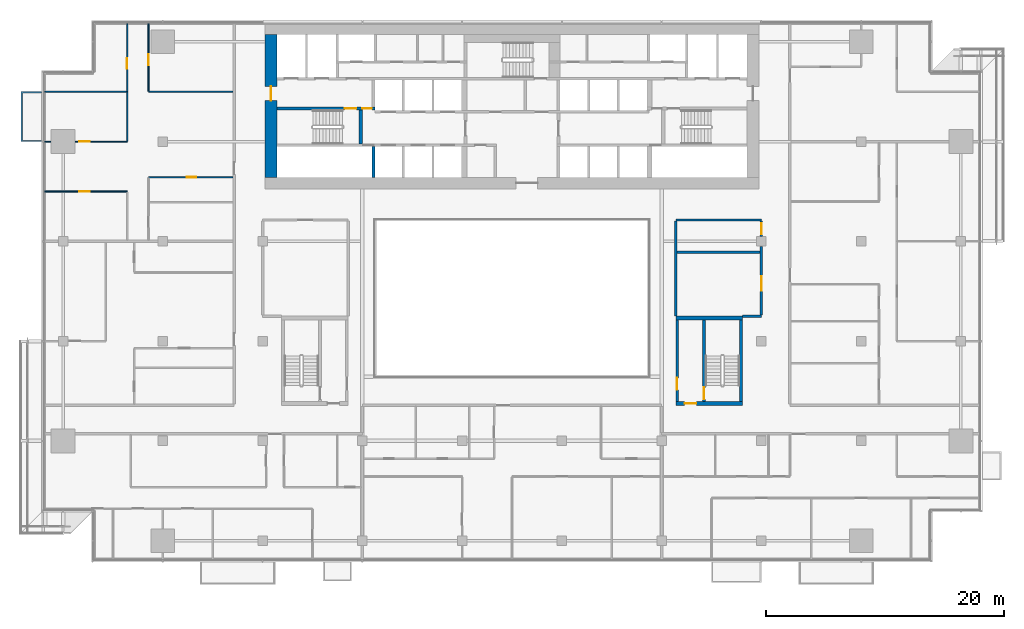
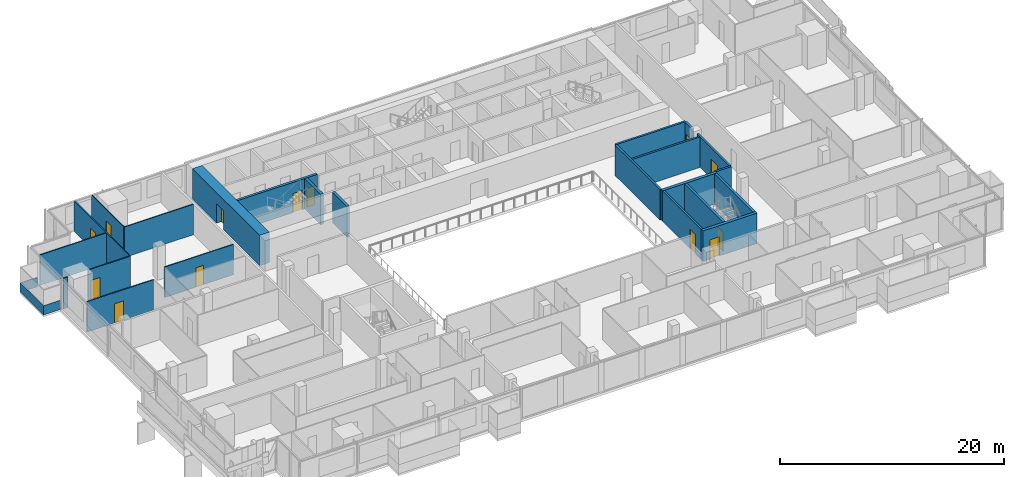
# One storey, part 20 of 29: 24 walls, 13 doors, 13 openings.
"""IFC4 building model written with IfcOpenShell, lengths in metres."""

from ifc_helpers import new_model, si_unit, direction, frame, frame_2d, origin, place, context, subcontext, project, spatial, polyline, rectangle, outline, extrude, material, layer, layer_set, type_object, element, fill, save


model = new_model("IFC4")

# Units and contexts
model_context = context("Model", 3, precision=1e-05, world=origin(), true_north=direction((0.0, 1.0)))
body_context = subcontext(model_context, "Body", "Model", "MODEL_VIEW")
ifc_project = project(units=[si_unit("LENGTHUNIT", "METRE"), si_unit("AREAUNIT", "SQUARE_METRE"), si_unit("VOLUMEUNIT", "CUBIC_METRE"), si_unit("PLANEANGLEUNIT", "RADIAN"), si_unit("MASSUNIT", "GRAM", prefix="KILO")], contexts=[model_context])

# Site, building, storey
site_placement = place(None, origin())
site = spatial("IfcSite", under=ifc_project, at=site_placement, CompositionType="ELEMENT")
building_placement = place(site_placement, origin())
building = spatial("IfcBuilding", under=site, at=building_placement, Name="Saffron Gate Tower", CompositionType="ELEMENT")
storey_placement = place(building_placement, frame((0.0, 0.0, 113.25)))
storey = spatial("IfcBuildingStorey", under=building, at=storey_placement, Name="L26", CompositionType="ELEMENT", Elevation=113.25)

# Wall, opening, door
ifc_material_1 = material(Name="Gypsum board partition on steel studs", Category="steel")
ifc_layer_1 = layer(ifc_material_1, 0.199951171875)
ifc_layer_set_1 = layer_set([ifc_layer_1], Name="CW10 Core partition 200")
wall_type_1 = type_object("IfcWallType", Name="CW10 Core partition 200", PredefinedType="PARTITIONING", material=ifc_layer_set_1)
wall_1_placement = place(storey_placement, frame((101.5, 43.5, 0.0), z_axis=(0.0, 0.0, 1.0), x_axis=(0.0, 1.0, 0.0)))
wall_1 = element("IfcWall", 1, at=wall_1_placement, inside=storey, type_object=wall_type_1, Name="Wall CW10-L26-E-2", PredefinedType="PARTITIONING", context=body_context, shape_type="SweptSolid", body=[
    extrude(rectangle(XDim=6.89990234375, YDim=0.199951171875, at=frame_2d((3.449951171875, 0.0))), origin(), (0.0, 0.0, 1.0), 3.320068359375),
])
opening_1_placement = place(wall_1_placement, frame((1.0, 0.0, 0.0)))
opening_1 = element("IfcOpeningElement", 2, at=opening_1_placement, cuts=wall_1, Name="Opening CR-22", PredefinedType="OPENING", context=body_context, shape_type="SweptSolid", body=[
    extrude(rectangle(XDim=1.0, YDim=2.10009765625, at=frame_2d((0.5, 1.050048828125))), frame((0.0, 0.10986328125, 0.0), z_axis=(0.0, -1.0, 0.0), x_axis=(1.0, 0.0, 0.0)), (0.0, 0.0, 1.0), 0.219970703125),
])
ifc_material_2 = material(Name="Steel fire door set", Category="steel")
door_type_1 = type_object("IfcDoorType", Name="CD4 Lobby door 1000x2100 EI 120", OperationType="NOTDEFINED", PredefinedType="DOOR", material=ifc_material_2)
door_1_placement = place(opening_1_placement, origin())
door_1 = element("IfcDoor", 3, at=door_1_placement, inside=storey, type_object=door_type_1, Name="DOOR CR-22", OperationType="SINGLE_SWING_LEFT", OverallHeight=2.10009765625, OverallWidth=1.0, PredefinedType="DOOR", context=body_context, shape_type="SweptSolid", body=[
    extrude(rectangle(XDim=1.0, YDim=2.10009765625, at=frame_2d((0.5, 1.050048828125))), frame((0.0, 0.02490234375, 0.0), z_axis=(0.0, -1.0, 0.0), x_axis=(1.0, 0.0, 0.0)), (0.0, 0.0, 1.0), 0.050048828125),
])
fill(opening_1, door_1)

ifc_material_3 = material(Name="Concrete C70", Category="concrete")
ifc_layer_2 = layer(ifc_material_3, 1.0)
ifc_layer_set_2 = layer_set([ifc_layer_2], Name="CW12 RC core wall 1000 C70")
wall_type_2 = type_object("IfcWallType", Name="CW12 RC core wall 1000 C70", PredefinedType="SOLIDWALL", material=ifc_layer_set_2)
wall_2_placement = place(storey_placement, frame((67.300048828125, 62.39990234375, 0.0), z_axis=(0.0, 0.0, 1.0), x_axis=(0.0, 1.0, 0.0)))
wall_2 = element("IfcWall", 4, at=wall_2_placement, inside=storey, type_object=wall_type_2, Name="Wall CW12-L26-3", PredefinedType="SOLIDWALL", context=body_context, shape_type="SweptSolid", body=[
    extrude(rectangle(XDim=12.0, YDim=1.0, at=frame_2d((6.0, 0.0))), origin(), (0.0, 0.0, 1.0), 3.320068359375),
])
opening_2_placement = place(wall_2_placement, frame((6.449951171875, 0.0, 0.0)))
opening_2 = element("IfcOpeningElement", 5, at=opening_2_placement, cuts=wall_2, Name="Opening CR-10", PredefinedType="OPENING", context=body_context, shape_type="SweptSolid", body=[
    extrude(rectangle(XDim=1.199951171875, YDim=2.10009765625, at=frame_2d((0.60009765625, 1.050048828125))), frame((0.0, 0.510009765625, 0.0), z_axis=(0.0, -1.0, 0.0), x_axis=(1.0, 0.0, 0.0)), (0.0, 0.0, 1.0), 1.02001953125),
])
door_type_2 = type_object("IfcDoorType", Name="CD7 Core entrance door 1200x2100 EI 120", OperationType="NOTDEFINED", PredefinedType="DOOR", material=ifc_material_2)
door_2_placement = place(opening_2_placement, origin())
door_2 = element("IfcDoor", 6, at=door_2_placement, inside=storey, type_object=door_type_2, Name="DOOR CR-10", OperationType="SINGLE_SWING_LEFT", OverallHeight=2.10009765625, OverallWidth=1.199951171875, PredefinedType="DOOR", context=body_context, shape_type="SweptSolid", body=[
    extrude(rectangle(XDim=1.199951171875, YDim=2.10009765625, at=frame_2d((0.60009765625, 1.050048828125))), frame((0.0, 0.02490234375, 0.0), z_axis=(0.0, -1.0, 0.0), x_axis=(1.0, 0.0, 0.0)), (0.0, 0.0, 1.0), 0.050048828125),
])
fill(opening_2, door_2)

# Wall
ifc_layer_3 = layer(ifc_material_3, 0.25)
ifc_layer_set_3 = layer_set([ifc_layer_3], Name="CW2 RC core wall 250 C70")
wall_type_3 = type_object("IfcWallType", Name="CW2 RC core wall 250 C70", PredefinedType="SOLIDWALL", material=ifc_layer_set_3)
wall_3_placement = place(storey_placement, frame((75.925048828125, 62.39990234375, 0.0), z_axis=(0.0, 0.0, 1.0), x_axis=(0.0, 1.0, 0.0)))
element("IfcWall", 7, at=wall_3_placement, inside=storey, type_object=wall_type_3, Name="Wall CW2-L26-5", PredefinedType="SOLIDWALL", context=body_context, shape_type="SweptSolid", body=[
    extrude(rectangle(XDim=2.60009765625, YDim=0.25, at=frame_2d((1.300048828125, 0.0))), origin(), (0.0, 0.0, 1.0), 3.320068359375),
])

# Wall, openings, doors
wall_4_placement = place(storey_placement, frame((67.800048828125, 68.175048828125, 0.0), z_axis=(0.0, 0.0, 1.0), x_axis=(1.0, 0.0, 0.0)))
wall_4 = element("IfcWall", 8, at=wall_4_placement, inside=storey, type_object=wall_type_3, Name="Wall CW2-L26-29", PredefinedType="SOLIDWALL", context=body_context, shape_type="SweptSolid", body=[
    extrude(rectangle(XDim=8.25, YDim=0.25, at=frame_2d((4.125, 0.0))), origin(), (0.0, 0.0, 1.0), 3.320068359375),
])
opening_3_placement = place(wall_4_placement, frame((5.699951171875, 0.0, 0.0)))
opening_3 = element("IfcOpeningElement", 9, at=opening_3_placement, cuts=wall_4, Name="Opening CR-15", PredefinedType="OPENING", context=body_context, shape_type="SweptSolid", body=[
    extrude(rectangle(XDim=1.0, YDim=2.10009765625, at=frame_2d((0.5, 1.050048828125))), frame((0.0, 0.135009765625, 0.0), z_axis=(0.0, -1.0, 0.0), x_axis=(1.0, 0.0, 0.0)), (0.0, 0.0, 1.0), 0.27001953125),
])
opening_4_placement = place(wall_4_placement, frame((7.199951171875, 0.0, 0.0)))
opening_4 = element("IfcOpeningElement", 10, at=opening_4_placement, cuts=wall_4, Name="Opening CR-06", PredefinedType="OPENING", context=body_context, shape_type="SweptSolid", body=[
    extrude(rectangle(XDim=0.800048828125, YDim=2.10009765625, at=frame_2d((0.39990234375, 1.050048828125))), frame((0.0, 0.135009765625, 0.0), z_axis=(0.0, -1.0, 0.0), x_axis=(1.0, 0.0, 0.0)), (0.0, 0.0, 1.0), 0.27001953125),
])
door_type_3 = type_object("IfcDoorType", Name="CD5 Stair door 1000x2100 EI 120", OperationType="NOTDEFINED", PredefinedType="DOOR", material=ifc_material_2)
door_3_placement = place(opening_3_placement, origin())
door_3 = element("IfcDoor", 11, at=door_3_placement, inside=storey, type_object=door_type_3, Name="DOOR CR-15", OperationType="SINGLE_SWING_RIGHT", OverallHeight=2.10009765625, OverallWidth=1.0, PredefinedType="DOOR", context=body_context, shape_type="SweptSolid", body=[
    extrude(rectangle(XDim=1.0, YDim=2.10009765625, at=frame_2d((0.5, 1.050048828125))), frame((0.0, 0.02490234375, 0.0), z_axis=(0.0, -1.0, 0.0), x_axis=(1.0, 0.0, 0.0)), (0.0, 0.0, 1.0), 0.050048828125),
])
fill(opening_3, door_3)
door_type_4 = type_object("IfcDoorType", Name="CD6 Lobby door 800x2100 EI 120", OperationType="NOTDEFINED", PredefinedType="DOOR", material=ifc_material_2)
door_4_placement = place(opening_4_placement, origin())
door_4 = element("IfcDoor", 12, at=door_4_placement, inside=storey, type_object=door_type_4, Name="DOOR CR-06", OperationType="SINGLE_SWING_LEFT", OverallHeight=2.10009765625, OverallWidth=0.800048828125, PredefinedType="DOOR", context=body_context, shape_type="SweptSolid", body=[
    extrude(rectangle(XDim=0.800048828125, YDim=2.10009765625, at=frame_2d((0.39990234375, 1.050048828125))), frame((0.0, 0.02490234375, 0.0), z_axis=(0.0, -1.0, 0.0), x_axis=(1.0, 0.0, 0.0)), (0.0, 0.0, 1.0), 0.050048828125),
])
fill(opening_4, door_4)

# Wall, opening, door
wall_5_placement = place(storey_placement, frame((103.77490234375, 43.5, 0.0), z_axis=(0.0, 0.0, 1.0), x_axis=(0.0, 1.0, 0.0)))
wall_5 = element("IfcWall", 13, at=wall_5_placement, inside=storey, type_object=wall_type_3, Name="Wall CW2-L26-E-3", PredefinedType="SOLIDWALL", context=body_context, shape_type="SweptSolid", body=[
    extrude(rectangle(XDim=6.89990234375, YDim=0.25, at=frame_2d((3.449951171875, 0.0))), origin(), (0.0, 0.0, 1.0), 3.320068359375),
])
opening_5_placement = place(wall_5_placement, frame((0.199951171875, 0.0, 0.0)))
opening_5 = element("IfcOpeningElement", 14, at=opening_5_placement, cuts=wall_5, Name="Opening CR-23", PredefinedType="OPENING", context=body_context, shape_type="SweptSolid", body=[
    extrude(rectangle(XDim=1.0, YDim=2.10009765625, at=frame_2d((0.5, 1.050048828125))), frame((0.0, 0.135009765625, 0.0), z_axis=(0.0, -1.0, 0.0), x_axis=(1.0, 0.0, 0.0)), (0.0, 0.0, 1.0), 0.27001953125),
])
door_5_placement = place(opening_5_placement, origin())
door_5 = element("IfcDoor", 15, at=door_5_placement, inside=storey, type_object=door_type_3, Name="DOOR CR-23", OperationType="SINGLE_SWING_RIGHT", OverallHeight=2.10009765625, OverallWidth=1.0, PredefinedType="DOOR", context=body_context, shape_type="SweptSolid", body=[
    extrude(rectangle(XDim=1.0, YDim=2.10009765625, at=frame_2d((0.5, 1.050048828125))), frame((0.0, 0.02490234375, 0.0), z_axis=(0.0, -1.0, 0.0), x_axis=(1.0, 0.0, 0.0)), (0.0, 0.0, 1.0), 0.050048828125),
])
fill(opening_5, door_5)

# Walls
wall_6_placement = place(storey_placement, frame((106.875, 43.5, 0.0), z_axis=(0.0, 0.0, 1.0), x_axis=(0.0, 1.0, 0.0)))
element("IfcWall", 16, at=wall_6_placement, inside=storey, type_object=wall_type_3, Name="Wall CW2-L26-E-4", PredefinedType="SOLIDWALL", context=body_context, shape_type="SweptSolid", body=[
    extrude(rectangle(XDim=6.89990234375, YDim=0.25, at=frame_2d((3.449951171875, 0.0))), origin(), (0.0, 0.0, 1.0), 3.320068359375),
])
ifc_layer_4 = layer(ifc_material_3, 0.300048828125)
ifc_layer_set_4 = layer_set([ifc_layer_4], Name="CW5 RC core wall 300 C70")
wall_type_4 = type_object("IfcWallType", Name="CW5 RC core wall 300 C70", PredefinedType="SOLIDWALL", material=ifc_layer_set_4)
wall_7_placement = place(storey_placement, frame((74.85009765625, 65.199951171875, 0.0), z_axis=(0.0, 0.0, 1.0), x_axis=(0.0, 1.0, 0.0)))
element("IfcWall", 17, at=wall_7_placement, inside=storey, type_object=wall_type_4, Name="Wall CW5-L26-16", PredefinedType="SOLIDWALL", context=body_context, shape_type="SweptSolid", body=[
    extrude(rectangle(XDim=2.85009765625, YDim=0.300048828125, at=frame_2d((1.425048828125, 0.0))), origin(), (0.0, 0.0, 1.0), 3.320068359375),
])

# Wall, opening, door
wall_8_placement = place(storey_placement, frame((101.39990234375, 43.35009765625, 0.0), z_axis=(0.0, 0.0, 1.0), x_axis=(1.0, 0.0, 0.0)))
wall_8 = element("IfcWall", 18, at=wall_8_placement, inside=storey, type_object=wall_type_4, Name="Wall CW5-L26-E-1", PredefinedType="SOLIDWALL", context=body_context, shape_type="SweptSolid", body=[
    extrude(rectangle(XDim=5.60009765625, YDim=0.300048828125, at=frame_2d((2.800048828125, 0.0))), origin(), (0.0, 0.0, 1.0), 3.320068359375),
])
opening_6_placement = place(wall_8_placement, frame((0.72509765625, 0.0, 0.0)))
opening_6 = element("IfcOpeningElement", 19, at=opening_6_placement, cuts=wall_8, Name="Opening CR-21", PredefinedType="OPENING", context=body_context, shape_type="SweptSolid", body=[
    extrude(rectangle(XDim=1.0, YDim=2.10009765625, at=frame_2d((0.5, 1.050048828125))), frame((0.0, 0.16015625, 0.0), z_axis=(0.0, -1.0, 0.0), x_axis=(1.0, 0.0, 0.0)), (0.0, 0.0, 1.0), 0.320068359375),
])
door_6_placement = place(opening_6_placement, origin())
door_6 = element("IfcDoor", 20, at=door_6_placement, inside=storey, type_object=door_type_1, Name="DOOR CR-21", OperationType="SINGLE_SWING_RIGHT", OverallHeight=2.10009765625, OverallWidth=1.0, PredefinedType="DOOR", context=body_context, shape_type="SweptSolid", body=[
    extrude(rectangle(XDim=1.0, YDim=2.10009765625, at=frame_2d((0.5, 1.050048828125))), frame((0.0, 0.02490234375, 0.0), z_axis=(0.0, -1.0, 0.0), x_axis=(1.0, 0.0, 0.0)), (0.0, 0.0, 1.0), 0.050048828125),
])
fill(opening_6, door_6)

# Wall
wall_9_placement = place(storey_placement, frame((101.39990234375, 50.550048828125, 0.0), z_axis=(0.0, 0.0, 1.0), x_axis=(1.0, 0.0, 0.0)))
element("IfcWall", 21, at=wall_9_placement, inside=storey, type_object=wall_type_4, Name="Wall CW5-L26-E-5", PredefinedType="SOLIDWALL", context=body_context, shape_type="SweptSolid", body=[
    extrude(rectangle(XDim=5.60009765625, YDim=0.300048828125, at=frame_2d((2.800048828125, 0.0))), origin(), (0.0, 0.0, 1.0), 3.320068359375),
])

# Wall, opening, door
ifc_material_4 = material(Name="Plasterboard on steel studs", Category="steel")
ifc_layer_5 = layer(ifc_material_4, 0.10009765625)
ifc_layer_set_5 = layer_set([ifc_layer_5], Name="PW1 Partition 100")
wall_type_5 = type_object("IfcWallType", Name="PW1 Partition 100", PredefinedType="PARTITIONING", material=ifc_layer_set_5)
wall_10_placement = place(storey_placement, frame((55.199951171875, 61.199951171875, 0.0), z_axis=(0.0, 0.0, 1.0), x_axis=(-1.0, 0.0, 0.0)))
wall_10 = element("IfcWall", 22, at=wall_10_placement, inside=storey, type_object=wall_type_5, Name="Partition B2-38", PredefinedType="PARTITIONING", context=body_context, shape_type="SweptSolid", body=[
    extrude(rectangle(XDim=6.919921875, YDim=0.10009765625, at=frame_2d((3.4599609375, 0.0))), origin(), (0.0, 0.0, 1.0), 3.320068359375),
])
opening_7_placement = place(wall_10_placement, frame((3.14990234375, 0.0, 0.0)))
opening_7 = element("IfcOpeningElement", 23, at=opening_7_placement, cuts=wall_10, Name="Opening B2-26", PredefinedType="OPENING", context=body_context, shape_type="SweptSolid", body=[
    extrude(rectangle(XDim=0.89990234375, YDim=2.10009765625, at=frame_2d((0.449951171875, 1.050048828125))), frame((0.0, 0.06005859375, 0.0), z_axis=(0.0, -1.0, 0.0), x_axis=(1.0, 0.0, 0.0)), (0.0, 0.0, 1.0), 0.1201171875),
])
ifc_material_5 = material(Name="Timber door set", Category="wood")
door_type_5 = type_object("IfcDoorType", Name="RD1 Room door 900x2100", OperationType="NOTDEFINED", PredefinedType="DOOR", material=ifc_material_5)
door_7_placement = place(opening_7_placement, origin())
door_7 = element("IfcDoor", 24, at=door_7_placement, inside=storey, type_object=door_type_5, Name="Door B2-26", OperationType="SINGLE_SWING_RIGHT", OverallHeight=2.10009765625, OverallWidth=0.89990234375, PredefinedType="DOOR", context=body_context, shape_type="SweptSolid", body=[
    extrude(rectangle(XDim=0.89990234375, YDim=2.10009765625, at=frame_2d((0.449951171875, 1.050048828125))), frame((0.0, 0.02490234375, 0.0), z_axis=(0.0, -1.0, 0.0), x_axis=(1.0, 0.0, 0.0)), (0.0, 0.0, 1.0), 0.050048828125),
])
fill(opening_7, door_7)

wall_11_placement = place(storey_placement, frame((64.10009765625, 62.39990234375, 0.0), z_axis=(0.0, 0.0, 1.0), x_axis=(-1.0, 0.0, 0.0)))
wall_11 = element("IfcWall", 25, at=wall_11_placement, inside=storey, type_object=wall_type_5, Name="Partition B2-39", PredefinedType="PARTITIONING", context=body_context, shape_type="SweptSolid", body=[
    extrude(rectangle(XDim=7.10009765625, YDim=0.10009765625, at=frame_2d((3.550048828125, 0.0))), origin(), (0.0, 0.0, 1.0), 3.320068359375),
])
opening_8_placement = place(wall_11_placement, frame((3.10009765625, 0.0, 0.0)))
opening_8 = element("IfcOpeningElement", 26, at=opening_8_placement, cuts=wall_11, Name="Opening B2-44", PredefinedType="OPENING", context=body_context, shape_type="SweptSolid", body=[
    extrude(rectangle(XDim=0.800048828125, YDim=2.10009765625, at=frame_2d((0.39990234375, 1.050048828125))), frame((0.0, 0.06005859375, 0.0), z_axis=(0.0, -1.0, 0.0), x_axis=(1.0, 0.0, 0.0)), (0.0, 0.0, 1.0), 0.1201171875),
])
door_type_6 = type_object("IfcDoorType", Name="RD2 Bathroom door 800x2100", OperationType="NOTDEFINED", PredefinedType="DOOR", material=ifc_material_5)
door_8_placement = place(opening_8_placement, origin())
door_8 = element("IfcDoor", 27, at=door_8_placement, inside=storey, type_object=door_type_6, Name="Door B2-44", OperationType="SINGLE_SWING_LEFT", OverallHeight=2.10009765625, OverallWidth=0.800048828125, PredefinedType="DOOR", context=body_context, shape_type="SweptSolid", body=[
    extrude(rectangle(XDim=0.800048828125, YDim=2.10009765625, at=frame_2d((0.39990234375, 1.050048828125))), frame((0.0, 0.02490234375, 0.0), z_axis=(0.0, -1.0, 0.0), x_axis=(1.0, 0.0, 0.0)), (0.0, 0.0, 1.0), 0.050048828125),
])
fill(opening_8, door_8)

# Wall
wall_12_placement = place(storey_placement, frame((48.280029296875, 65.39990234375, 0.0), z_axis=(0.0, 0.0, 1.0), x_axis=(1.0, 0.0, 0.0)))
element("IfcWall", 28, at=wall_12_placement, inside=storey, type_object=wall_type_5, Name="Partition B2-43", PredefinedType="PARTITIONING", context=body_context, shape_type="SweptSolid", body=[
    extrude(rectangle(XDim=0.5, YDim=0.10009765625, at=frame_2d((0.25, 0.0))), origin(), (0.0, 0.0, 1.0), 3.320068359375),
])

# Wall, opening, door
wall_13_placement = place(storey_placement, frame((50.820068359375, 65.39990234375, 0.0), z_axis=(0.0, 0.0, 1.0), x_axis=(1.0, 0.0, 0.0)))
wall_13 = element("IfcWall", 29, at=wall_13_placement, inside=storey, type_object=wall_type_5, Name="Partition B2-44", PredefinedType="PARTITIONING", context=body_context, shape_type="SweptSolid", body=[
    extrude(rectangle(XDim=4.3798828125, YDim=0.10009765625, at=frame_2d((2.18994140625, 0.0))), origin(), (0.0, 0.0, 1.0), 3.320068359375),
])
opening_9_placement = place(wall_13_placement, frame((0.330078125, 0.0, 0.0)))
opening_9 = element("IfcOpeningElement", 30, at=opening_9_placement, cuts=wall_13, Name="Opening B2-27", PredefinedType="OPENING", context=body_context, shape_type="SweptSolid", body=[
    extrude(rectangle(XDim=0.89990234375, YDim=2.10009765625, at=frame_2d((0.449951171875, 1.050048828125))), frame((0.0, 0.06005859375, 0.0), z_axis=(0.0, -1.0, 0.0), x_axis=(1.0, 0.0, 0.0)), (0.0, 0.0, 1.0), 0.1201171875),
])
door_9_placement = place(opening_9_placement, origin())
door_9 = element("IfcDoor", 31, at=door_9_placement, inside=storey, type_object=door_type_5, Name="Door B2-27", OperationType="SINGLE_SWING_LEFT", OverallHeight=2.10009765625, OverallWidth=0.89990234375, PredefinedType="DOOR", context=body_context, shape_type="SweptSolid", body=[
    extrude(rectangle(XDim=0.89990234375, YDim=2.10009765625, at=frame_2d((0.449951171875, 1.050048828125))), frame((0.0, 0.02490234375, 0.0), z_axis=(0.0, -1.0, 0.0), x_axis=(1.0, 0.0, 0.0)), (0.0, 0.0, 1.0), 0.050048828125),
])
fill(opening_9, door_9)

# Walls
wall_14_placement = place(storey_placement, frame((57.0, 69.594482421875, 0.0), z_axis=(0.0, 0.0, 1.0), x_axis=(1.0, 0.0, 0.0)))
element("IfcWall", 32, at=wall_14_placement, inside=storey, type_object=wall_type_5, Name="Partition B2-45", PredefinedType="PARTITIONING", context=body_context, shape_type="SweptSolid", body=[
    extrude(rectangle(XDim=7.10009765625, YDim=0.10009765625, at=frame_2d((3.550048828125, 0.0))), origin(), (0.0, 0.0, 1.0), 3.320068359375),
])
wall_15_placement = place(storey_placement, frame((48.280029296875, 69.60009765625, 0.0), z_axis=(0.0, 0.0, 1.0), x_axis=(1.0, 0.0, 0.0)))
element("IfcWall", 33, at=wall_15_placement, inside=storey, type_object=wall_type_5, Name="Partition B2-46", PredefinedType="PARTITIONING", context=body_context, shape_type="SweptSolid", body=[
    extrude(rectangle(XDim=6.869873046875, YDim=0.10009765625, at=frame_2d((3.43505859375, 0.0))), origin(), (0.0, 0.0, 1.0), 3.320068359375),
])

# Wall, opening, door
wall_16_placement = place(storey_placement, frame((55.199951171875, 65.449951171875, 0.0), z_axis=(0.0, 0.0, 1.0), x_axis=(0.0, 1.0, 0.0)))
wall_16 = element("IfcWall", 34, at=wall_16_placement, inside=storey, type_object=wall_type_5, Name="Partition B2-52", PredefinedType="PARTITIONING", context=body_context, shape_type="SweptSolid", body=[
    extrude(rectangle(XDim=9.8701171875, YDim=0.10009765625, at=frame_2d((4.93505859375, 0.0))), origin(), (0.0, 0.0, 1.0), 3.320068359375),
])
opening_10_placement = place(wall_16_placement, frame((6.078857421875, 0.0, 0.0)))
opening_10 = element("IfcOpeningElement", 35, at=opening_10_placement, cuts=wall_16, Name="Opening B2-28", PredefinedType="OPENING", context=body_context, shape_type="SweptSolid", body=[
    extrude(rectangle(XDim=0.89990234375, YDim=2.10009765625, at=frame_2d((0.449951171875, 1.050048828125))), frame((0.0, 0.06005859375, 0.0), z_axis=(0.0, -1.0, 0.0), x_axis=(1.0, 0.0, 0.0)), (0.0, 0.0, 1.0), 0.1201171875),
])
door_10_placement = place(opening_10_placement, origin())
door_10 = element("IfcDoor", 36, at=door_10_placement, inside=storey, type_object=door_type_5, Name="Door B2-28", OperationType="SINGLE_SWING_LEFT", OverallHeight=2.10009765625, OverallWidth=0.89990234375, PredefinedType="DOOR", context=body_context, shape_type="SweptSolid", body=[
    extrude(rectangle(XDim=0.89990234375, YDim=2.10009765625, at=frame_2d((0.449951171875, 1.050048828125))), frame((0.0, 0.02490234375, 0.0), z_axis=(0.0, -1.0, 0.0), x_axis=(1.0, 0.0, 0.0)), (0.0, 0.0, 1.0), 0.050048828125),
])
fill(opening_10, door_10)

wall_17_placement = place(storey_placement, frame((57.0, 75.320068359375, 0.0), z_axis=(0.0, 0.0, 1.0), x_axis=(0.0, -1.0, 0.0)))
wall_17 = element("IfcWall", 37, at=wall_17_placement, inside=storey, type_object=wall_type_5, Name="Partition B2-57", PredefinedType="PARTITIONING", context=body_context, shape_type="SweptSolid", body=[
    extrude(rectangle(XDim=5.67578125, YDim=0.10009765625, at=frame_2d((2.837890625, 0.0))), origin(), (0.0, 0.0, 1.0), 3.320068359375),
])
opening_11_placement = place(wall_17_placement, frame((2.57275390625, 0.0, 0.0)))
opening_11 = element("IfcOpeningElement", 38, at=opening_11_placement, cuts=wall_17, Name="Opening B2-29", PredefinedType="OPENING", context=body_context, shape_type="SweptSolid", body=[
    extrude(rectangle(XDim=0.89990234375, YDim=2.10009765625, at=frame_2d((0.449951171875, 1.050048828125))), frame((0.0, 0.06005859375, 0.0), z_axis=(0.0, -1.0, 0.0), x_axis=(1.0, 0.0, 0.0)), (0.0, 0.0, 1.0), 0.1201171875),
])
door_11_placement = place(opening_11_placement, origin())
door_11 = element("IfcDoor", 39, at=door_11_placement, inside=storey, type_object=door_type_5, Name="Door B2-29", OperationType="SINGLE_SWING_RIGHT", OverallHeight=2.10009765625, OverallWidth=0.89990234375, PredefinedType="DOOR", context=body_context, shape_type="SweptSolid", body=[
    extrude(rectangle(XDim=0.89990234375, YDim=2.10009765625, at=frame_2d((0.449951171875, 1.050048828125))), frame((0.0, 0.02490234375, 0.0), z_axis=(0.0, -1.0, 0.0), x_axis=(1.0, 0.0, 0.0)), (0.0, 0.0, 1.0), 0.050048828125),
])
fill(opening_11, door_11)

# Walls
ifc_material_6 = material(Name="Clay brick masonry, rendered", Category="masonry")
ifc_layer_6 = layer(ifc_material_6, 0.199951171875)
ifc_layer_set_6 = layer_set([ifc_layer_6], Name="PW3 Corridor wall 200")
wall_type_6 = type_object("IfcWallType", Name="PW3 Corridor wall 200", PredefinedType="PARTITIONING", material=ifc_layer_set_6)
wall_18_placement = place(storey_placement, frame((107.0, 50.699951171875, 0.0), z_axis=(0.0, 0.0, 1.0), x_axis=(1.0, 0.0, 0.0)))
element("IfcWall", 40, at=wall_18_placement, inside=storey, type_object=wall_type_6, Name="Wall B2-25", PredefinedType="PARTITIONING", context=body_context, shape_type="SweptSolid", body=[
    extrude(rectangle(XDim=1.60009765625, YDim=0.199951171875, at=frame_2d((0.800048828125, 0.0))), origin(), (0.0, 0.0, 1.0), 3.320068359375),
])
wall_19_placement = place(storey_placement, frame((101.39990234375, 58.800048828125, 0.0), z_axis=(0.0, 0.0, 1.0), x_axis=(1.0, 0.0, 0.0)))
element("IfcWall", 41, at=wall_19_placement, inside=storey, type_object=wall_type_6, Name="Wall B2-35", PredefinedType="PARTITIONING", context=body_context, shape_type="SweptSolid", body=[
    extrude(rectangle(XDim=7.2001953125, YDim=0.199951171875, at=frame_2d((3.60009765625, 0.0))), origin(), (0.0, 0.0, 1.0), 3.320068359375),
])
wall_20_placement = place(storey_placement, frame((101.39990234375, 58.699951171875, 0.0), z_axis=(0.0, 0.0, 1.0), x_axis=(0.0, -1.0, 0.0)))
element("IfcWall", 42, at=wall_20_placement, inside=storey, type_object=wall_type_6, Name="Wall B2-83", PredefinedType="PARTITIONING", context=body_context, shape_type="SweptSolid", body=[
    extrude(rectangle(XDim=8.0, YDim=0.199951171875, at=frame_2d((4.0, 0.0))), origin(), (0.0, 0.0, 1.0), 3.320068359375),
])

# Wall, opening, door
wall_21_placement = place(storey_placement, frame((108.60009765625, 50.800048828125, 0.0), z_axis=(0.0, 0.0, 1.0), x_axis=(0.0, 1.0, 0.0)))
wall_21 = element("IfcWall", 43, at=wall_21_placement, inside=storey, type_object=wall_type_6, Name="Wall B2-86", PredefinedType="PARTITIONING", context=body_context, shape_type="SweptSolid", body=[
    extrude(rectangle(XDim=5.780029296875, YDim=0.199951171875, at=frame_2d((2.89013671875, 0.0))), origin(), (0.0, 0.0, 1.0), 3.320068359375),
])
opening_12_placement = place(wall_21_placement, frame((2.050048828125, 0.0, 0.0)))
opening_12 = element("IfcOpeningElement", 44, at=opening_12_placement, cuts=wall_21, Name="Opening B2-48", PredefinedType="OPENING", context=body_context, shape_type="SweptSolid", body=[
    extrude(rectangle(XDim=1.199951171875, YDim=2.10009765625, at=frame_2d((0.60009765625, 1.050048828125))), frame((0.0, 0.10986328125, 0.0), z_axis=(0.0, -1.0, 0.0), x_axis=(1.0, 0.0, 0.0)), (0.0, 0.0, 1.0), 0.219970703125),
])
door_type_7 = type_object("IfcDoorType", Name="HD1 Hall door 1200x2100", OperationType="NOTDEFINED", PredefinedType="DOOR", material=ifc_material_5)
door_12_placement = place(opening_12_placement, origin())
door_12 = element("IfcDoor", 45, at=door_12_placement, inside=storey, type_object=door_type_7, Name="Door B2-48", OperationType="SINGLE_SWING_RIGHT", OverallHeight=2.10009765625, OverallWidth=1.199951171875, PredefinedType="DOOR", context=body_context, shape_type="SweptSolid", body=[
    extrude(rectangle(XDim=1.199951171875, YDim=2.10009765625, at=frame_2d((0.60009765625, 1.050048828125))), frame((0.0, 0.02490234375, 0.0), z_axis=(0.0, -1.0, 0.0), x_axis=(1.0, 0.0, 0.0)), (0.0, 0.0, 1.0), 0.050048828125),
])
fill(opening_12, door_12)

wall_22_placement = place(storey_placement, frame((108.60009765625, 57.419921875, 0.0), z_axis=(0.0, 0.0, 1.0), x_axis=(0.0, 1.0, 0.0)))
wall_22 = element("IfcWall", 46, at=wall_22_placement, inside=storey, type_object=wall_type_6, Name="Wall B2-87", PredefinedType="PARTITIONING", context=body_context, shape_type="SweptSolid", body=[
    extrude(rectangle(XDim=1.280029296875, YDim=0.199951171875, at=frame_2d((0.64013671875, 0.0))), origin(), (0.0, 0.0, 1.0), 3.320068359375),
])
opening_13_placement = place(wall_22_placement, frame((0.18994140625, 0.0, 0.0)))
opening_13 = element("IfcOpeningElement", 47, at=opening_13_placement, cuts=wall_22, Name="Opening B2-35", PredefinedType="OPENING", context=body_context, shape_type="SweptSolid", body=[
    extrude(rectangle(XDim=0.89990234375, YDim=2.10009765625, at=frame_2d((0.449951171875, 1.050048828125))), frame((0.0, 0.10986328125, 0.0), z_axis=(0.0, -1.0, 0.0), x_axis=(1.0, 0.0, 0.0)), (0.0, 0.0, 1.0), 0.219970703125),
])
door_13_placement = place(opening_13_placement, origin())
door_13 = element("IfcDoor", 48, at=door_13_placement, inside=storey, type_object=door_type_5, Name="Door B2-35", OperationType="SINGLE_SWING_RIGHT", OverallHeight=2.10009765625, OverallWidth=0.89990234375, PredefinedType="DOOR", context=body_context, shape_type="SweptSolid", body=[
    extrude(rectangle(XDim=0.89990234375, YDim=2.10009765625, at=frame_2d((0.449951171875, 1.050048828125))), frame((0.0, 0.02490234375, 0.0), z_axis=(0.0, -1.0, 0.0), x_axis=(1.0, 0.0, 0.0)), (0.0, 0.0, 1.0), 0.050048828125),
])
fill(opening_13, door_13)

# Walls
ifc_layer_7 = layer(ifc_material_6, 0.199951171875)
ifc_layer_set_7 = layer_set([ifc_layer_7], Name="PW5 Room wall 200")
wall_type_7 = type_object("IfcWallType", Name="PW5 Room wall 200", PredefinedType="PARTITIONING", material=ifc_layer_set_7)
wall_23_placement = place(storey_placement, frame((101.5, 56.10009765625, 0.0), z_axis=(0.0, 0.0, 1.0), x_axis=(1.0, 0.0, 0.0)))
element("IfcWall", 49, at=wall_23_placement, inside=storey, type_object=wall_type_7, Name="Wall B2-28", PredefinedType="PARTITIONING", context=body_context, shape_type="SweptSolid", body=[
    extrude(rectangle(XDim=7.0, YDim=0.199951171875, at=frame_2d((3.5, 0.0))), origin(), (0.0, 0.0, 1.0), 3.320068359375),
])
ifc_material_7 = material(Name="Rendered insulated panel, white")
ifc_layer_8 = layer(ifc_material_7, 0.10009765625)
ifc_layer_set_8 = layer_set([ifc_layer_8], Name="WB3 box parapet white")
wall_type_8 = type_object("IfcWallType", Name="WB3 box parapet white", PredefinedType="SOLIDWALL", material=ifc_layer_set_8)
wall_24_placement = place(storey_placement, origin())
element("IfcWall", 50, at=wall_24_placement, inside=storey, type_object=wall_type_8, Name="WINDOW BOX parapet", PredefinedType="SOLIDWALL", context=body_context, shape_type="SweptSolid", body=[
    extrude(outline(polyline([(48.0, 69.60009765625), (48.0, 69.5), (46.366943359375, 69.5), (46.366943359375, 65.5), (48.0, 65.5), (48.0, 65.39990234375), (46.26708984375, 65.39990234375), (46.26708984375, 69.60009765625), (48.0, 69.60009765625)])), origin(), (0.0, 0.0, 1.0), 1.0),
])

save(model, "model.ifc")
